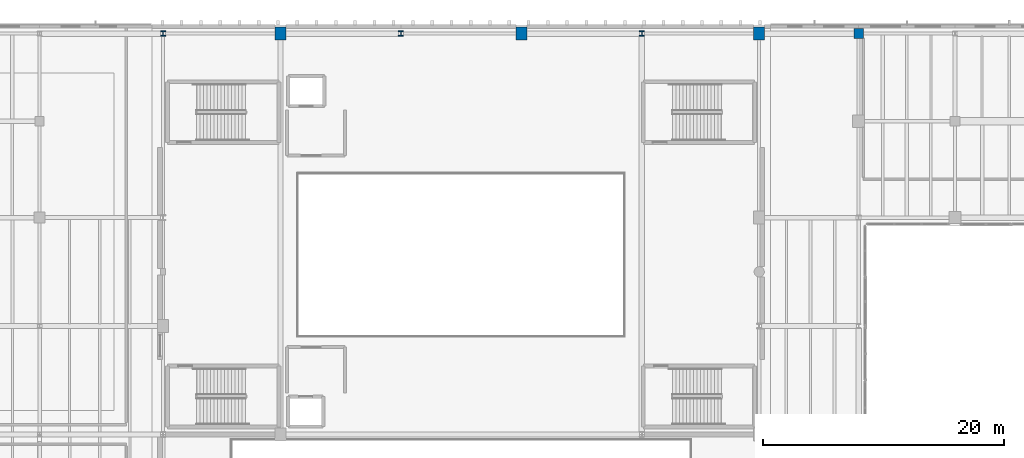
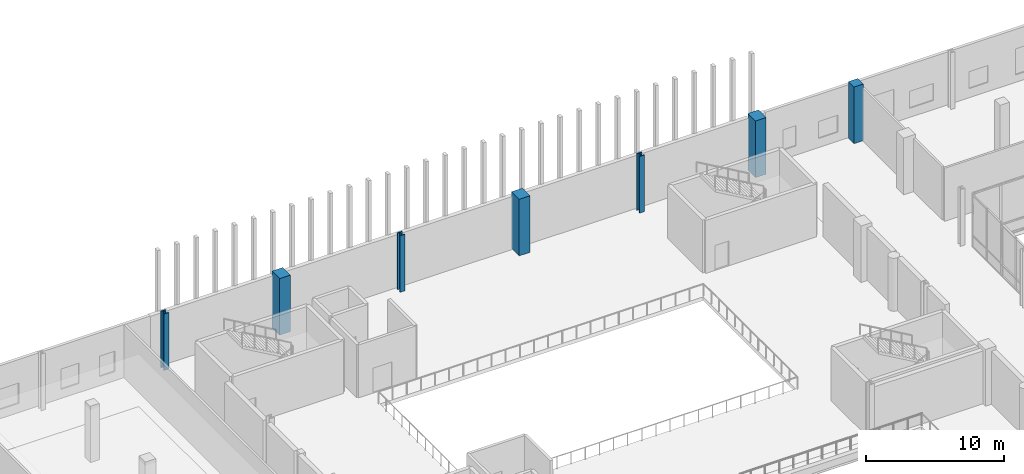
# One storey, part 12 of 81: 7 columns.
"""IFC4 building model written with IfcOpenShell, lengths in metres."""

from ifc_helpers import new_model, si_unit, direction, frame, origin, origin_2d, place, context, subcontext, project, spatial, rectangle, i_section, extrude, material, material_profile, profile_set, type_object, element, save


model = new_model("IFC4")

# Units and contexts
model_context = context("Model", 3, precision=1e-05, world=origin(), true_north=direction((0.0, 1.0)))
body_context = subcontext(model_context, "Body", "Model", "MODEL_VIEW")
ifc_project = project(units=[si_unit("LENGTHUNIT", "METRE"), si_unit("AREAUNIT", "SQUARE_METRE"), si_unit("VOLUMEUNIT", "CUBIC_METRE"), si_unit("PLANEANGLEUNIT", "RADIAN"), si_unit("MASSUNIT", "GRAM", prefix="KILO")], contexts=[model_context])

# Site, building, storey
site_placement = place(None, origin())
site = spatial("IfcSite", under=ifc_project, at=site_placement, CompositionType="ELEMENT")
building_placement = place(site_placement, origin())
building = spatial("IfcBuilding", under=site, at=building_placement, Name="Trimount Lyric Opera House", CompositionType="ELEMENT")
storey_placement = place(building_placement, frame((0.0, 0.0, 5.0)))
storey = spatial("IfcBuildingStorey", under=building, at=storey_placement, Name="L01", CompositionType="ELEMENT", Elevation=5.0)

# Columns
ifc_material_1 = material(Name="Steel ASTM A992 Grade 50", Category="steel")
ifc_material_profile_1 = material_profile(ifc_material_1, i_section(OverallWidth=0.422119140625, OverallDepth=0.465087890625, WebThickness=0.044921875, FlangeThickness=0.072509765625, FilletRadius=0.02001953125, at=origin_2d()), Name="W14X398")
ifc_profile_set_1 = profile_set([ifc_material_profile_1], Name="Steel ASTM A992 Grade 50")
column_type_1 = type_object("IfcColumnType", Name="C-01", PredefinedType="COLUMN", material=ifc_profile_set_1)
for number, where, z_axis, x_axis, name in (
    (1, (64.260009765625, 117.280029296875, 0.0), (0.0, 0.0, 1.0), (1.0, 0.0, 0.0), "L01 column 8/P"),
    (2, (84.0, 117.280029296875, 0.0), (0.0, 0.0, 1.0), (1.0, 0.0, 0.0), "L01 column 10/P"),
    (3, (104.0, 117.280029296875, 0.0), (0.0, 0.0, 1.0), (1.0, 0.0, 0.0), "L01 column 12/P"),
):
    element("IfcColumn", number, at=place(storey_placement, frame(where, z_axis=z_axis, x_axis=x_axis)), inside=storey, type_object=column_type_1, Name=name, PredefinedType="COLUMN", context=body_context, shape_type="SweptSolid", body=[
        extrude(i_section(OverallWidth=0.422119140625, OverallDepth=0.465087890625, WebThickness=0.044921875, FlangeThickness=0.072509765625, FilletRadius=0.02001953125, at=origin_2d()), origin(), (0.0, 0.0, 1.0), 5.0),
    ])
ifc_material_2 = material(Name="Concrete C50/60", Category="concrete")
ifc_material_profile_2 = material_profile(ifc_material_2, rectangle(XDim=0.89990234375, YDim=1.10009765625, at=origin_2d()), Name="RC1100X900")
ifc_profile_set_2 = profile_set([ifc_material_profile_2], Name="Concrete C50/60")
column_type_2 = type_object("IfcColumnType", Name="C-11", PredefinedType="COLUMN", material=ifc_profile_set_2)
for number, where, z_axis, x_axis, name in (
    (4, (74.0, 117.280029296875, 0.0), (0.0, 0.0, 1.0), (1.0, 0.0, 0.0), "L01 column 9/P"),
    (5, (94.0, 117.280029296875, 0.0), (0.0, 0.0, 1.0), (1.0, 0.0, 0.0), "L01 column 11/P"),
    (6, (113.739990234375, 117.280029296875, 0.0), (0.0, 0.0, 1.0), (1.0, 0.0, 0.0), "L01 column 13/P"),
):
    element("IfcColumn", number, at=place(storey_placement, frame(where, z_axis=z_axis, x_axis=x_axis)), inside=storey, type_object=column_type_2, Name=name, PredefinedType="COLUMN", context=body_context, shape_type="SweptSolid", body=[
        extrude(rectangle(XDim=0.89990234375, YDim=1.10009765625, at=origin_2d()), origin(), (0.0, 0.0, 1.0), 5.0),
    ])
ifc_material_3 = material(Name="Concrete C40/50", Category="concrete")
ifc_material_profile_3 = material_profile(ifc_material_3, rectangle(XDim=0.800048828125, YDim=0.800048828125, at=origin_2d()), Name="RC800X800")
ifc_profile_set_3 = profile_set([ifc_material_profile_3], Name="Concrete C40/50")
column_type_3 = type_object("IfcColumnType", Name="C-14", PredefinedType="COLUMN", material=ifc_profile_set_3)
column_placement = place(storey_placement, frame((122.0, 117.280029296875, 0.0), z_axis=(0.0, 0.0, 1.0), x_axis=(1.0, 0.0, 0.0)))
element("IfcColumn", 7, at=column_placement, inside=storey, type_object=column_type_3, Name="L01 column 14/P", PredefinedType="COLUMN", context=body_context, shape_type="SweptSolid", body=[
    extrude(rectangle(XDim=0.800048828125, YDim=0.800048828125, at=origin_2d()), origin(), (0.0, 0.0, 1.0), 5.0),
])

save(model, "model.ifc")
